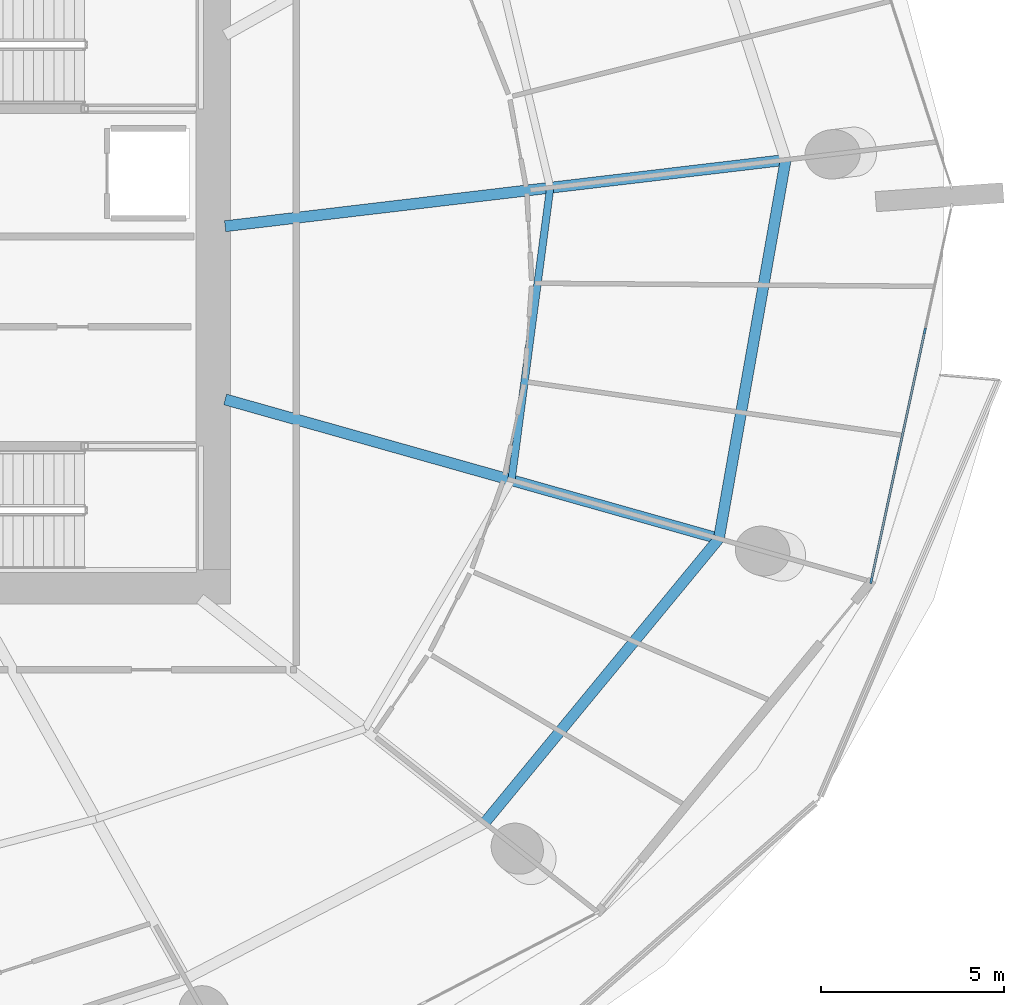
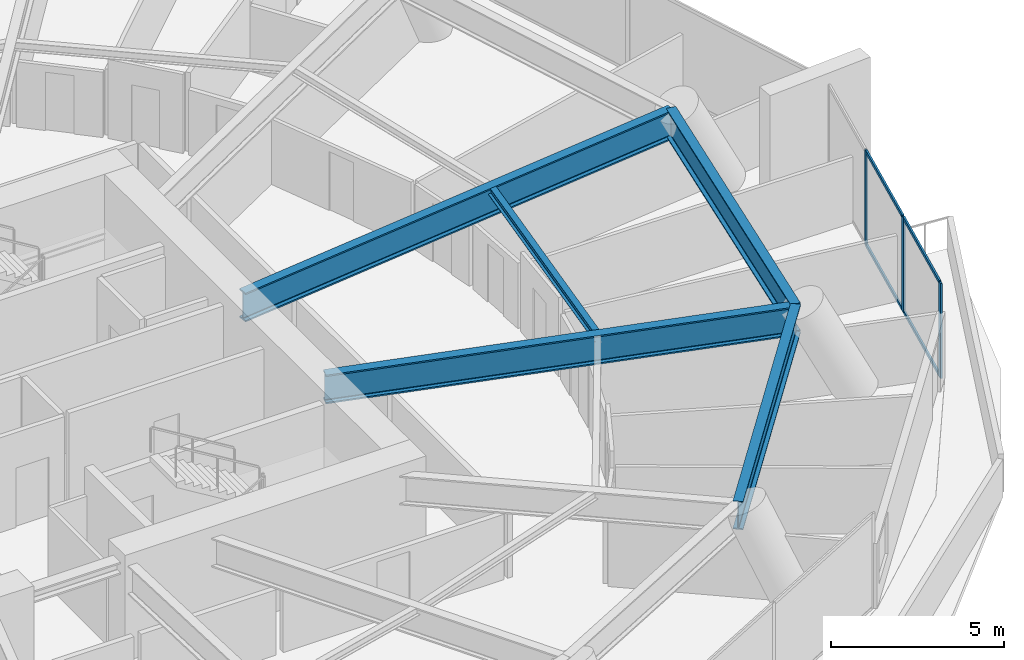
# One storey, part 10 of 31: 7 members, 5 beams, 1 element without a shape of its own.
"""IFC4 building model written with IfcOpenShell, lengths in metres."""

import ifcopenshell
import ifcopenshell.guid

model = None  # the IFC model being written
_history = None  # IfcOwnerHistory: only IFC2X3 demands one
_inside = {}  # id of a spatial element -> (the spatial element, [elements in it])
_under = {}  # id of a project, library or spatial element -> (it, [spatial elements below it])
_declared = {}  # id of a project -> (the project, [libraries it declares])
_typed = {}  # id of a type object -> (the type object, [elements of that type])
_made_of = {}  # id of a material, layer set ... -> (it, [elements and type objects made of it])


def new_model(schema):
    """Start an empty IFC model of exactly this schema.

    Asked for "IFC4X3", IfcOpenShell would pick the latest addendum, in which some entities
    have other attributes; the version numbers below select the first issue.
    IFC2X3 requires an IfcOwnerHistory on every rooted entity: one is made here for all.
    """
    global model, _history
    if schema == "IFC4X3":
        model = ifcopenshell.file(schema_version=(4, 3, 0, 0))
    else:
        model = ifcopenshell.file(schema=schema)
    _inside.clear()
    _under.clear()
    _declared.clear()
    _typed.clear()
    _made_of.clear()
    _history = None
    if model.schema == "IFC2X3":
        org = make("IfcOrganization", Name="unknown")
        user = make(
            "IfcPersonAndOrganization",
            ThePerson=make("IfcPerson", FamilyName="unknown"),
            TheOrganization=org,
        )
        app = make(
            "IfcApplication",
            ApplicationDeveloper=org,
            Version="unknown",
            ApplicationFullName="unknown",
            ApplicationIdentifier="unknown",
        )
        _history = make(
            "IfcOwnerHistory",
            OwningUser=user,
            OwningApplication=app,
            ChangeAction="ADDED",
            CreationDate=0,
        )
    return model


def make(cls, **values):
    """One entity of the class cls with the attributes given. An attribute that is None is left unset."""
    return model.create_entity(
        cls, **{name: value for name, value in values.items() if value is not None}
    )


def rooted(cls, **values):
    """An entity with a GlobalId (a new one), such as an element, a storey or a relation."""
    return make(cls, GlobalId=ifcopenshell.guid.new(), OwnerHistory=_history, **values)


def si_unit(unit_type, name, prefix=None):
    """IfcSIUnit, for example si_unit("LENGTHUNIT", "METRE", prefix="MILLI")."""
    return make("IfcSIUnit", UnitType=unit_type, Prefix=prefix, Name=name)


def assignment(units):
    """IfcUnitAssignment: the units of a project."""
    return None if units is None else make("IfcUnitAssignment", Units=units)


def point(xyz):
    """IfcCartesianPoint."""
    return None if xyz is None else make("IfcCartesianPoint", Coordinates=xyz)


def direction(xyz):
    """IfcDirection."""
    return None if xyz is None else make("IfcDirection", DirectionRatios=xyz)


def frame(location, z_axis=None, x_axis=None):
    """IfcAxis2Placement3D, a coordinate frame: its origin and axes. An axis left out is left unset."""
    return make(
        "IfcAxis2Placement3D",
        Location=point(location),
        Axis=direction(z_axis),
        RefDirection=direction(x_axis),
    )


def frame_2d(location, x_axis=None):
    """IfcAxis2Placement2D, a coordinate frame in the plane: its origin and x axis."""
    return make(
        "IfcAxis2Placement2D", Location=point(location), RefDirection=direction(x_axis)
    )


def origin():
    """The frame at (0, 0, 0) with its axes left unset."""
    return frame((0.0, 0.0, 0.0))


def origin_2d():
    """The frame at (0, 0) in the plane with its x axis left unset."""
    return frame_2d((0.0, 0.0))


def place(relative_to, where):
    """IfcLocalPlacement: puts the frame where relative to a parent placement (None: the world)."""
    return make(
        "IfcLocalPlacement", PlacementRelTo=relative_to, RelativePlacement=where
    )


def context(
    kind, dimensions, precision=None, world=None, true_north=None, identifier=None
):
    """IfcGeometricRepresentationContext, for example the 3D "Model" context."""
    return make(
        "IfcGeometricRepresentationContext",
        ContextIdentifier=identifier,
        ContextType=kind,
        CoordinateSpaceDimension=dimensions,
        Precision=precision,
        WorldCoordinateSystem=world,
        TrueNorth=true_north,
    )


def subcontext(parent, identifier, kind, view, scale=None):
    """IfcGeometricRepresentationSubContext, for example "Body" below "Model"."""
    return make(
        "IfcGeometricRepresentationSubContext",
        ContextIdentifier=identifier,
        ContextType=kind,
        ParentContext=parent,
        TargetScale=scale,
        TargetView=view,
    )


def project(units=None, contexts=None):
    """IfcProject with its units and contexts."""
    return rooted(
        "IfcProject",
        Name="project",
        RepresentationContexts=contexts,
        UnitsInContext=assignment(units),
    )


def spatial(cls, under=None, at=None, **own):
    """A site, building, storey or space (cls), placed at a placement, below another one or the project."""
    s = rooted(cls, ObjectPlacement=at, **own)
    if under is not None:
        _under.setdefault(under.id(), (under, []))[1].append(s)
    return s


def profile(cls, at=None, kind="AREA", **sizes):
    """A parametric profile (cls). Its sizes go by their IFC names, for example OverallWidth=200.0."""
    return make(cls, ProfileType=kind, Position=at, **sizes)


def rectangle(**sizes):
    """IfcRectangleProfileDef."""
    return profile("IfcRectangleProfileDef", **sizes)


def i_section(**sizes):
    """IfcIShapeProfileDef."""
    return profile("IfcIShapeProfileDef", **sizes)


def extrude(swept, where, along, depth):
    """IfcExtrudedAreaSolid: the profile swept, set in the frame where, extruded along a direction by depth."""
    return make(
        "IfcExtrudedAreaSolid",
        SweptArea=swept,
        Position=where,
        ExtrudedDirection=direction(along),
        Depth=depth,
    )


def shape(context_of_items, identifier, shape_type, items):
    """IfcShapeRepresentation: the items that make up one representation, for example the "Body"."""
    return make(
        "IfcShapeRepresentation",
        ContextOfItems=context_of_items,
        RepresentationIdentifier=identifier,
        RepresentationType=shape_type,
        Items=items,
    )


def material(Name=None, Category=None):
    """IfcMaterial."""
    return make("IfcMaterial", Name=Name, Category=Category)


def layer(
    of_material, thickness, ventilated=None, Name=None, Category=None, Priority=None
):
    """IfcMaterialLayer: one layer of a wall or slab, of a material (None: an air gap)."""
    return make(
        "IfcMaterialLayer",
        Material=of_material,
        LayerThickness=thickness,
        IsVentilated=ventilated,
        Name=Name,
        Category=Category,
        Priority=Priority,
    )


def layer_set(layers, Name=None):
    """IfcMaterialLayerSet."""
    return make("IfcMaterialLayerSet", MaterialLayers=layers, LayerSetName=Name)


def material_profile(
    of_material, cross_section, Name=None, Category=None, Priority=None
):
    """IfcMaterialProfile: a cross section and its material."""
    return make(
        "IfcMaterialProfile",
        Name=Name,
        Material=of_material,
        Profile=cross_section,
        Priority=Priority,
        Category=Category,
    )


def profile_set(profiles, Name=None, composite=None):
    """IfcMaterialProfileSet."""
    return make(
        "IfcMaterialProfileSet",
        Name=Name,
        MaterialProfiles=profiles,
        CompositeProfile=composite,
    )


def made_of(thing, what):
    """Note that an element or type object is made of a material, layer set ...; save() writes the relation."""
    if what is not None:
        _made_of.setdefault(what.id(), (what, []))[1].append(thing)
    return thing


def type_object(cls, material=None, **own):
    """A type object (cls), such as IfcWallType, which elements share."""
    return made_of(rooted(cls, **own), material)


def element(
    cls,
    number,
    at=None,
    inside=None,
    cuts=None,
    type_object=None,
    material=None,
    context=None,
    identifier="Body",
    shape_type=None,
    held_by="IfcProductDefinitionShape",
    body=None,
    shapes=None,
    **own,
):
    """One element of the class cls, such as IfcWall. Its Tag is "e" and its number.

    at: its placement. inside: the storey or other place that contains it. cuts: it is an
    opening in that element (IfcRelVoidsElement). A single representation is given by context,
    identifier, shape_type and body (its items); several are given by shapes. held_by: the class
    of the entity that holds the representations. save() writes the other relations.
    """
    e = rooted(cls, Tag="e%d" % number, ObjectPlacement=at, **own)
    if body is not None:
        shapes = [shape(context, identifier, shape_type, body)]
    if shapes is not None:
        e.Representation = make(held_by, Representations=shapes)
    if inside is not None:
        _inside.setdefault(inside.id(), (inside, []))[1].append(e)
    if cuts is not None:
        rooted(
            "IfcRelVoidsElement", RelatingBuildingElement=cuts, RelatedOpeningElement=e
        )
    if type_object is not None:
        _typed.setdefault(type_object.id(), (type_object, []))[1].append(e)
    return made_of(e, material)


def aggregate(whole, parts):
    """IfcRelAggregates: a whole, such as a stair, and the parts it consists of."""
    return rooted("IfcRelAggregates", RelatingObject=whole, RelatedObjects=parts)


def save(model, path):
    """Write the relations noted so far, then the file.

    IfcRelAggregates (storeys below a building ...), IfcRelContainedInSpatialStructure (elements
    in a storey), IfcRelDefinesByType, IfcRelAssociatesMaterial and IfcRelDeclares: one each for
    every whole, place, type object, material and project.
    """
    for whole, parts in _under.values():
        aggregate(whole, parts)
    for where, things in _inside.values():
        rooted(
            "IfcRelContainedInSpatialStructure",
            RelatedElements=things,
            RelatingStructure=where,
        )
    for kind, things in _typed.values():
        rooted("IfcRelDefinesByType", RelatedObjects=things, RelatingType=kind)
    for what, things in _made_of.values():
        rooted("IfcRelAssociatesMaterial", RelatedObjects=things, RelatingMaterial=what)
    for by, libraries in _declared.values():
        rooted("IfcRelDeclares", RelatingContext=by, RelatedDefinitions=libraries)
    model.write(path)


model = new_model("IFC4")

# Units and contexts
model_context = context("Model", 3, precision=1e-05, world=origin(), true_north=direction((0.0, 1.0)))
body_context = subcontext(model_context, "Body", "Model", "MODEL_VIEW")
ifc_project = project(units=[si_unit("LENGTHUNIT", "METRE"), si_unit("AREAUNIT", "SQUARE_METRE"), si_unit("VOLUMEUNIT", "CUBIC_METRE"), si_unit("PLANEANGLEUNIT", "RADIAN"), si_unit("MASSUNIT", "GRAM", prefix="KILO")], contexts=[model_context])

# Site, building, storey
site_placement = place(None, origin())
site = spatial("IfcSite", under=ifc_project, at=site_placement, CompositionType="ELEMENT")
building_placement = place(site_placement, origin())
building = spatial("IfcBuilding", under=site, at=building_placement, Name="Kazma Halo Residences", CompositionType="ELEMENT")
storey_placement = place(building_placement, frame((0.0, 0.0, 71.39990234375)))
storey = spatial("IfcBuildingStorey", under=building, at=storey_placement, Name="L17", CompositionType="ELEMENT", Elevation=71.39990234375)

# Beams
ifc_material_1 = material(Name="Steel S355", Category="steel")
ifc_material_profile_1 = material_profile(ifc_material_1, i_section(OverallWidth=0.202880859375, OverallDepth=0.302978515625, WebThickness=0.007568359375, FlangeThickness=0.01318359375, FilletRadius=0.013916015625, at=origin_2d()), Name="W310x60")
ifc_profile_set_1 = profile_set([ifc_material_profile_1], Name="Steel S355")
beam_type_1 = type_object("IfcBeamType", Name="BM-SEC-W310A", PredefinedType="JOIST", material=ifc_profile_set_1)
beam_1_placement = place(storey_placement, frame((67.695556640625, 36.4453125, 3.198486328125), z_axis=(0.131322674863, 0.991339676936, 0.0), x_axis=(-0.991339676936, 0.131322674863, 0.0)))
element("IfcBeam", 1, at=beam_1_placement, inside=storey, type_object=beam_type_1, Name="L17 circumferential floor joist 15", PredefinedType="JOIST", context=body_context, shape_type="SweptSolid", body=[
    extrude(i_section(OverallWidth=0.202880859375, OverallDepth=0.302978515625, WebThickness=0.007568359375, FlangeThickness=0.01318359375, FilletRadius=0.013916015625, at=origin_2d()), origin(), (0.0, 0.0, 1.0), 8.08154296875),
])
ifc_material_profile_2 = material_profile(ifc_material_1, i_section(OverallWidth=0.302001953125, OverallDepth=1.01806640625, WebThickness=0.021484375, FlangeThickness=0.049072265625, FilletRadius=0.028076171875, at=origin_2d()), Name="W1000x443")
ifc_profile_set_2 = profile_set([ifc_material_profile_2], Name="Steel S355")
beam_type_2 = type_object("IfcBeamType", Name="BM-TRANS-W1000A", PredefinedType="BEAM", material=ifc_profile_set_2)
beam_2_placement = place(storey_placement, frame((59.85009765625, 38.657958984375, 2.841064453125), z_axis=(0.962454447115, -0.271443248635, 0.0), x_axis=(0.271443248635, 0.962454447115, 0.0)))
element("IfcBeam", 2, at=beam_2_placement, inside=storey, type_object=beam_type_2, Name="L17 podium radial transfer girder 15", PredefinedType="BEAM", context=body_context, shape_type="SweptSolid", body=[
    extrude(i_section(OverallWidth=0.302001953125, OverallDepth=1.01806640625, WebThickness=0.021484375, FlangeThickness=0.049072265625, FilletRadius=0.028076171875, at=origin_2d()), origin(), (0.0, 0.0, 1.0), 14.05419921875),
])
beam_3_placement = place(storey_placement, frame((59.85009765625, 43.402587890625, 2.841064453125), z_axis=(0.993067914413, 0.117541981285, 0.0), x_axis=(-0.117541981285, 0.993067914413, 0.0)))
element("IfcBeam", 3, at=beam_3_placement, inside=storey, type_object=beam_type_2, Name="L17 podium radial transfer girder 16", PredefinedType="BEAM", context=body_context, shape_type="SweptSolid", body=[
    extrude(i_section(OverallWidth=0.302001953125, OverallDepth=1.01806640625, WebThickness=0.021484375, FlangeThickness=0.049072265625, FilletRadius=0.028076171875, at=origin_2d()), origin(), (0.0, 0.0, 1.0), 15.463623046875),
])
ifc_material_profile_3 = material_profile(ifc_material_1, i_section(OverallWidth=0.300048828125, OverallDepth=1.0, WebThickness=0.01904296875, FlangeThickness=0.0400390625, FilletRadius=0.02587890625, at=origin_2d()), Name="W1000x371")
ifc_profile_set_3 = profile_set([ifc_material_profile_3], Name="Steel S355")
beam_type_3 = type_object("IfcBeamType", Name="BM-TRANS-W1000B", PredefinedType="BEAM", material=ifc_profile_set_3)
beam_4_placement = place(storey_placement, frame((66.9580078125, 27.0546875, 2.85009765625), z_axis=(0.635989564566, 0.771697656963, 0.0), x_axis=(-0.771697656963, 0.635989564566, 0.0)))
element("IfcBeam", 4, at=beam_4_placement, inside=storey, type_object=beam_type_3, Name="L17 perimeter ring beam 14", PredefinedType="BEAM", context=body_context, shape_type="SweptSolid", body=[
    extrude(i_section(OverallWidth=0.300048828125, OverallDepth=1.0, WebThickness=0.01904296875, FlangeThickness=0.0400390625, FilletRadius=0.02587890625, at=origin_2d()), origin(), (0.0, 0.0, 1.0), 10.092529296875),
])
beam_5_placement = place(storey_placement, frame((73.376708984375, 34.843017578125, 2.85009765625), z_axis=(0.173653159051, 0.984806874647, 0.0), x_axis=(-0.984806874647, 0.173653159051, 0.0)))
element("IfcBeam", 5, at=beam_5_placement, inside=storey, type_object=beam_type_3, Name="L17 perimeter ring beam 15", PredefinedType="BEAM", context=body_context, shape_type="SweptSolid", body=[
    extrude(i_section(OverallWidth=0.300048828125, OverallDepth=1.0, WebThickness=0.01904296875, FlangeThickness=0.0400390625, FilletRadius=0.02587890625, at=origin_2d()), origin(), (0.0, 0.0, 1.0), 10.537353515625),
])

# Curtain wall, members
ifc_material_2 = material(Name="Aluminium AW-6063 T6 and Triple-Silver Low-E Glass", Category="aluminium")
ifc_layer = layer(ifc_material_2, 0.159912109375)
ifc_layer_set = layer_set([ifc_layer], Name="Aluminium AW-6063 T6 and Triple-Silver Low-E Glass")
curtain_wall_type = type_object("IfcCurtainWallType", Name="CW-SYS-2", PredefinedType="NOTDEFINED", material=ifc_layer_set)
curtain_wall_placement = place(storey_placement, origin())
curtain_wall = element("IfcCurtainWall", 6, at=curtain_wall_placement, inside=storey, type_object=curtain_wall_type, Name="L17 unitised curtain wall B15", PredefinedType="NOTDEFINED")
ifc_material_3 = material(Name="Aluminium AW-6063 T6", Category="aluminium")
ifc_material_profile_4 = material_profile(ifc_material_3, rectangle(XDim=0.06005859375, YDim=0.159912109375, at=origin_2d()), Name="CWM-60x160")
ifc_profile_set_4 = profile_set([ifc_material_profile_4], Name="Aluminium AW-6063 T6")
member_type_1 = type_object("IfcMemberType", Name="CW-SYS-2-MUL", PredefinedType="MULLION", material=ifc_profile_set_4)
member_1_placement = place(storey_placement, frame((77.552978515625, 33.6962890625, 0.0), z_axis=(0.0, 0.0, 1.0), x_axis=(-0.977779215096, 0.209637321406, 0.0)))
member_1 = element("IfcMember", 7, at=member_1_placement, type_object=member_type_1, Name="CWS-2 mullion 1", PredefinedType="MULLION", context=body_context, shape_type="SweptSolid", body=[
    extrude(rectangle(XDim=0.06005859375, YDim=0.159912109375, at=origin_2d()), origin(), (0.0, 0.0, 1.0), 3.35009765625),
])
member_2_placement = place(storey_placement, frame((78.282958984375, 37.101318359375, 0.0), z_axis=(0.0, 0.0, 1.0), x_axis=(-0.977779215096, 0.209637321406, 0.0)))
member_2 = element("IfcMember", 8, at=member_2_placement, type_object=member_type_1, Name="CWS-2 mullion 2", PredefinedType="MULLION", context=body_context, shape_type="SweptSolid", body=[
    extrude(rectangle(XDim=0.06005859375, YDim=0.159912109375, at=origin_2d()), origin(), (0.0, 0.0, 1.0), 3.35009765625),
])
member_3_placement = place(storey_placement, frame((79.019287109375, 40.53564453125, 0.0), z_axis=(0.0, 0.0, 1.0), x_axis=(-0.977779215096, 0.209637321406, 0.0)))
member_3 = element("IfcMember", 9, at=member_3_placement, type_object=member_type_1, Name="CWS-2 mullion 3", PredefinedType="MULLION", context=body_context, shape_type="SweptSolid", body=[
    extrude(rectangle(XDim=0.06005859375, YDim=0.159912109375, at=origin_2d()), origin(), (0.0, 0.0, 1.0), 3.35009765625),
])
ifc_material_profile_5 = material_profile(ifc_material_3, rectangle(XDim=0.06005859375, YDim=0.1201171875, at=origin_2d()), Name="CWT-60x120")
ifc_profile_set_5 = profile_set([ifc_material_profile_5], Name="Aluminium AW-6063 T6")
member_type_2 = type_object("IfcMemberType", Name="CW-SYS-2-TRN", PredefinedType="USERDEFINED", material=ifc_profile_set_5)
member_4_placement = place(storey_placement, frame((77.559326171875, 33.7255859375, 0.030029296875), z_axis=(0.209650877007, 0.977776308657, 0.0), x_axis=(-0.977776308657, 0.209650877007, 0.0)))
member_4 = element("IfcMember", 10, at=member_4_placement, type_object=member_type_2, Name="CWS-2 transom 1.1", ObjectType="TRANSOM", PredefinedType="USERDEFINED", context=body_context, shape_type="SweptSolid", body=[
    extrude(rectangle(XDim=0.06005859375, YDim=0.1201171875, at=origin_2d()), origin(), (0.0, 0.0, 1.0), 3.422607421875),
])
member_5_placement = place(storey_placement, frame((77.559326171875, 33.7255859375, 3.320068359375), z_axis=(0.209650877007, 0.977776308657, 0.0), x_axis=(-0.977776308657, 0.209650877007, 0.0)))
member_5 = element("IfcMember", 11, at=member_5_placement, type_object=member_type_2, Name="CWS-2 transom 1.2", ObjectType="TRANSOM", PredefinedType="USERDEFINED", context=body_context, shape_type="SweptSolid", body=[
    extrude(rectangle(XDim=0.06005859375, YDim=0.1201171875, at=origin_2d()), origin(), (0.0, 0.0, 1.0), 3.422607421875),
])
member_6_placement = place(storey_placement, frame((78.289306640625, 37.130615234375, 0.030029296875), z_axis=(0.209669136217, 0.977772393412, 0.0), x_axis=(-0.977772393412, 0.209669136217, 0.0)))
member_6 = element("IfcMember", 12, at=member_6_placement, type_object=member_type_2, Name="CWS-2 transom 2.1", ObjectType="TRANSOM", PredefinedType="USERDEFINED", context=body_context, shape_type="SweptSolid", body=[
    extrude(rectangle(XDim=0.06005859375, YDim=0.1201171875, at=origin_2d()), origin(), (0.0, 0.0, 1.0), 3.452392578125),
])
member_7_placement = place(storey_placement, frame((78.289306640625, 37.130615234375, 3.320068359375), z_axis=(0.209669136217, 0.977772393412, 0.0), x_axis=(-0.977772393412, 0.209669136217, 0.0)))
member_7 = element("IfcMember", 13, at=member_7_placement, type_object=member_type_2, Name="CWS-2 transom 2.2", ObjectType="TRANSOM", PredefinedType="USERDEFINED", context=body_context, shape_type="SweptSolid", body=[
    extrude(rectangle(XDim=0.06005859375, YDim=0.1201171875, at=origin_2d()), origin(), (0.0, 0.0, 1.0), 3.452392578125),
])
aggregate(curtain_wall, [member_1, member_2, member_3, member_4, member_5, member_6, member_7])

save(model, "model.ifc")
